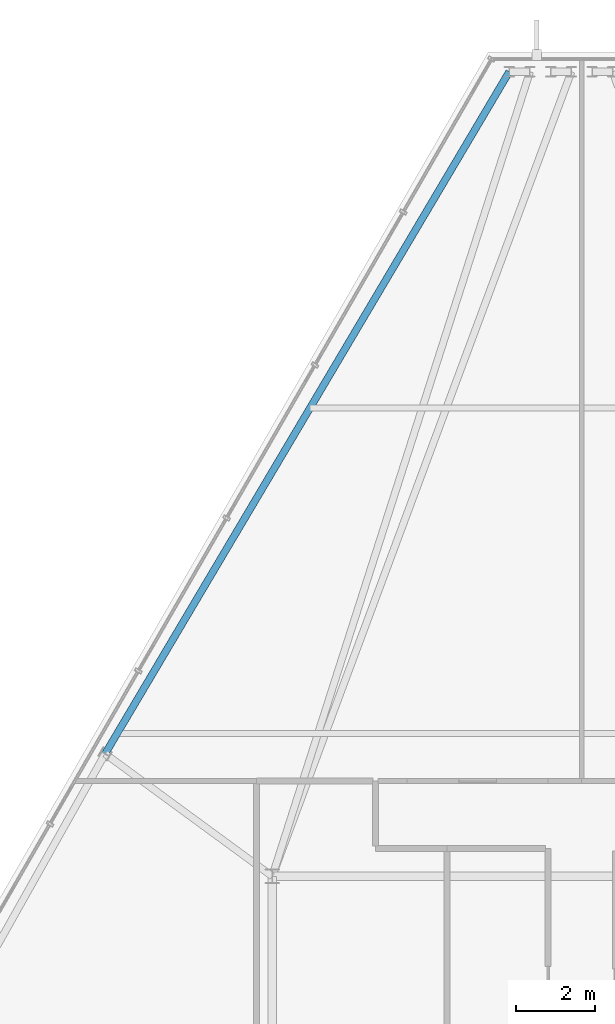
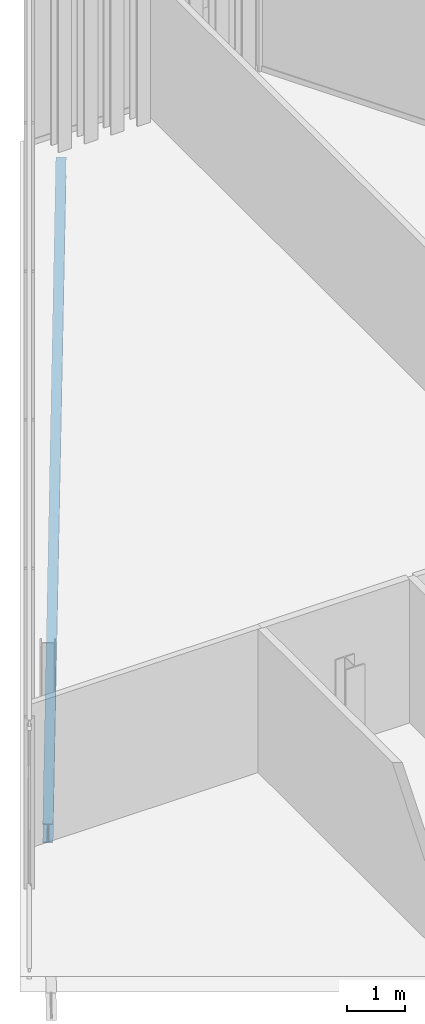
# One storey, part 14 of 32: 1 beam.
"""IFC4 building model written with IfcOpenShell, lengths in metres."""

from ifc_helpers import new_model, si_unit, direction, frame, origin, origin_2d, place, context, subcontext, project, spatial, i_section, extrude, material, material_profile, profile_set, type_object, element, save


model = new_model("IFC4")

# Units and contexts
model_context = context("Model", 3, precision=1e-05, world=origin(), true_north=direction((0.0, 1.0)))
body_context = subcontext(model_context, "Body", "Model", "MODEL_VIEW")
ifc_project = project(units=[si_unit("LENGTHUNIT", "METRE"), si_unit("AREAUNIT", "SQUARE_METRE"), si_unit("VOLUMEUNIT", "CUBIC_METRE"), si_unit("PLANEANGLEUNIT", "RADIAN"), si_unit("MASSUNIT", "GRAM", prefix="KILO")], contexts=[model_context])

# Site, building, storey
site_placement = place(None, origin())
site = spatial("IfcSite", under=ifc_project, at=site_placement, CompositionType="ELEMENT")
building_placement = place(site_placement, origin())
building = spatial("IfcBuilding", under=site, at=building_placement, Name="Ndaravel Arena Tower", CompositionType="ELEMENT")
storey_placement = place(building_placement, frame((0.0, 0.0, 287.10009765625)))
storey = spatial("IfcBuildingStorey", under=building, at=storey_placement, Name="L70", CompositionType="ELEMENT", Elevation=287.10009765625)

# Beam
ifc_material = material(Name="Steel S355", Category="steel")
ifc_material_profile = material_profile(ifc_material, i_section(OverallWidth=0.179931640625, OverallDepth=0.39990234375, WebThickness=0.008544921875, FlangeThickness=0.013427734375, FilletRadius=0.02099609375, at=origin_2d()), Name="IPE 400")
ifc_profile_set = profile_set([ifc_material_profile], Name="Steel S355")
beam_type = type_object("IfcBeamType", Name="BM-SPAN-IPE400", PredefinedType="SPANDREL", material=ifc_profile_set)
beam_placement = place(storey_placement, frame((40.17333984375, 43.477783203125, -0.420166015625), z_axis=(-0.509758851442, -0.860317332952, 0.0), x_axis=(0.860317332952, -0.509758851442, 0.0)))
element("IfcBeam", 1, at=beam_placement, inside=storey, type_object=beam_type, Name="L70 Perimeter Spandrel Beam SP-18", PredefinedType="SPANDREL", context=body_context, shape_type="SweptSolid", body=[
    extrude(i_section(OverallWidth=0.179931640625, OverallDepth=0.39990234375, WebThickness=0.008544921875, FlangeThickness=0.013427734375, FilletRadius=0.02099609375, at=origin_2d()), origin(), (0.0, 0.0, 1.0), 19.982177734375),
])

save(model, "model.ifc")
